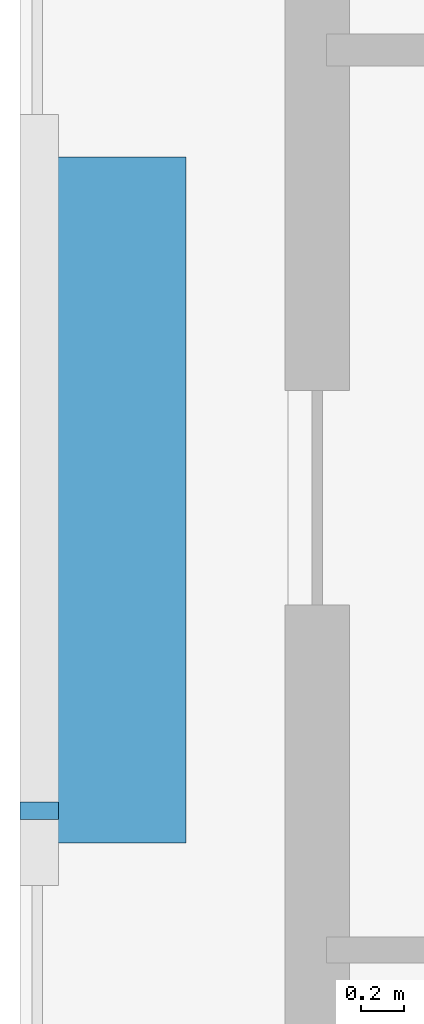
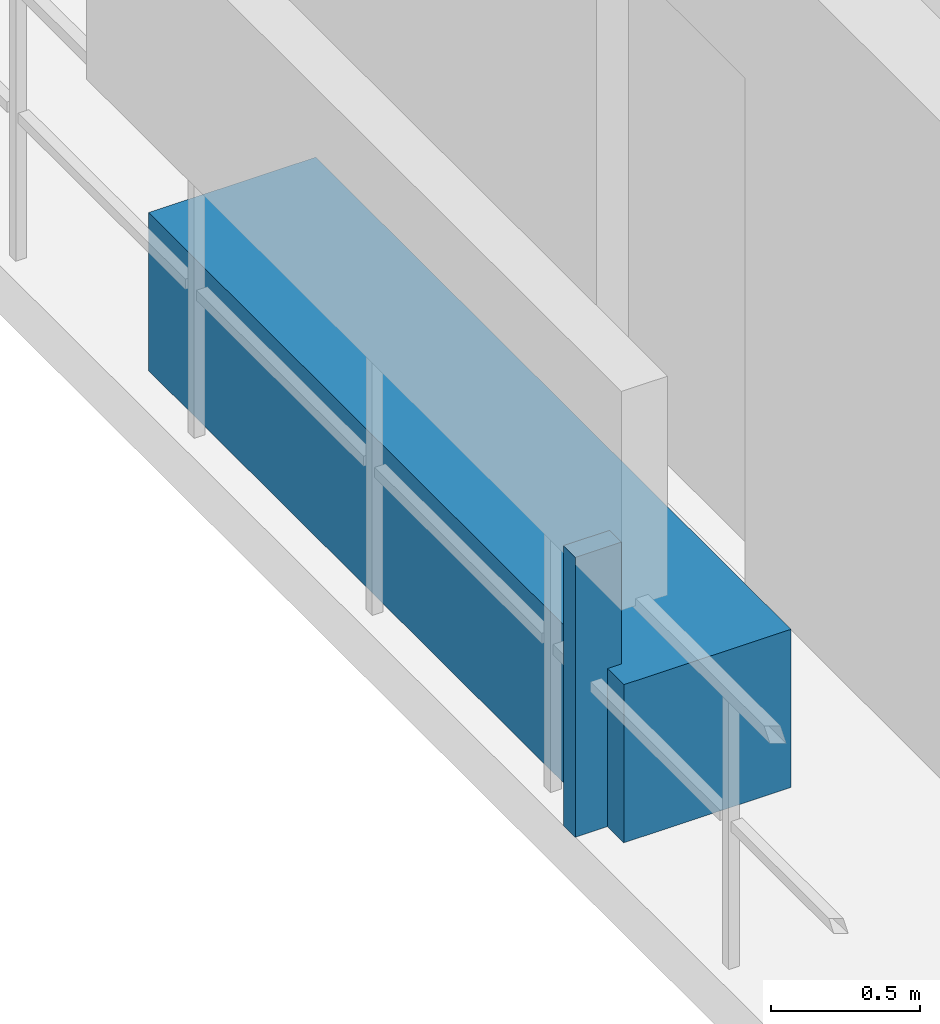
# One storey, part 28 of 33: 2 discrete accessories.
"""IFC4 building model written with IfcOpenShell, lengths in metres."""

import ifcopenshell
import ifcopenshell.guid

model = None  # the IFC model being written
_history = None  # IfcOwnerHistory: only IFC2X3 demands one
_inside = {}  # id of a spatial element -> (the spatial element, [elements in it])
_under = {}  # id of a project, library or spatial element -> (it, [spatial elements below it])
_declared = {}  # id of a project -> (the project, [libraries it declares])
_typed = {}  # id of a type object -> (the type object, [elements of that type])
_made_of = {}  # id of a material, layer set ... -> (it, [elements and type objects made of it])


def new_model(schema):
    """Start an empty IFC model of exactly this schema.

    Asked for "IFC4X3", IfcOpenShell would pick the latest addendum, in which some entities
    have other attributes; the version numbers below select the first issue.
    IFC2X3 requires an IfcOwnerHistory on every rooted entity: one is made here for all.
    """
    global model, _history
    if schema == "IFC4X3":
        model = ifcopenshell.file(schema_version=(4, 3, 0, 0))
    else:
        model = ifcopenshell.file(schema=schema)
    _inside.clear()
    _under.clear()
    _declared.clear()
    _typed.clear()
    _made_of.clear()
    _history = None
    if model.schema == "IFC2X3":
        org = make("IfcOrganization", Name="unknown")
        user = make(
            "IfcPersonAndOrganization",
            ThePerson=make("IfcPerson", FamilyName="unknown"),
            TheOrganization=org,
        )
        app = make(
            "IfcApplication",
            ApplicationDeveloper=org,
            Version="unknown",
            ApplicationFullName="unknown",
            ApplicationIdentifier="unknown",
        )
        _history = make(
            "IfcOwnerHistory",
            OwningUser=user,
            OwningApplication=app,
            ChangeAction="ADDED",
            CreationDate=0,
        )
    return model


def make(cls, **values):
    """One entity of the class cls with the attributes given. An attribute that is None is left unset."""
    return model.create_entity(
        cls, **{name: value for name, value in values.items() if value is not None}
    )


def rooted(cls, **values):
    """An entity with a GlobalId (a new one), such as an element, a storey or a relation."""
    return make(cls, GlobalId=ifcopenshell.guid.new(), OwnerHistory=_history, **values)


def si_unit(unit_type, name, prefix=None):
    """IfcSIUnit, for example si_unit("LENGTHUNIT", "METRE", prefix="MILLI")."""
    return make("IfcSIUnit", UnitType=unit_type, Prefix=prefix, Name=name)


def assignment(units):
    """IfcUnitAssignment: the units of a project."""
    return None if units is None else make("IfcUnitAssignment", Units=units)


def point(xyz):
    """IfcCartesianPoint."""
    return None if xyz is None else make("IfcCartesianPoint", Coordinates=xyz)


def direction(xyz):
    """IfcDirection."""
    return None if xyz is None else make("IfcDirection", DirectionRatios=xyz)


def frame(location, z_axis=None, x_axis=None):
    """IfcAxis2Placement3D, a coordinate frame: its origin and axes. An axis left out is left unset."""
    return make(
        "IfcAxis2Placement3D",
        Location=point(location),
        Axis=direction(z_axis),
        RefDirection=direction(x_axis),
    )


def frame_2d(location, x_axis=None):
    """IfcAxis2Placement2D, a coordinate frame in the plane: its origin and x axis."""
    return make(
        "IfcAxis2Placement2D", Location=point(location), RefDirection=direction(x_axis)
    )


def origin():
    """The frame at (0, 0, 0) with its axes left unset."""
    return frame((0.0, 0.0, 0.0))


def origin_2d():
    """The frame at (0, 0) in the plane with its x axis left unset."""
    return frame_2d((0.0, 0.0))


def place(relative_to, where):
    """IfcLocalPlacement: puts the frame where relative to a parent placement (None: the world)."""
    return make(
        "IfcLocalPlacement", PlacementRelTo=relative_to, RelativePlacement=where
    )


def context(
    kind, dimensions, precision=None, world=None, true_north=None, identifier=None
):
    """IfcGeometricRepresentationContext, for example the 3D "Model" context."""
    return make(
        "IfcGeometricRepresentationContext",
        ContextIdentifier=identifier,
        ContextType=kind,
        CoordinateSpaceDimension=dimensions,
        Precision=precision,
        WorldCoordinateSystem=world,
        TrueNorth=true_north,
    )


def subcontext(parent, identifier, kind, view, scale=None):
    """IfcGeometricRepresentationSubContext, for example "Body" below "Model"."""
    return make(
        "IfcGeometricRepresentationSubContext",
        ContextIdentifier=identifier,
        ContextType=kind,
        ParentContext=parent,
        TargetScale=scale,
        TargetView=view,
    )


def project(units=None, contexts=None):
    """IfcProject with its units and contexts."""
    return rooted(
        "IfcProject",
        Name="project",
        RepresentationContexts=contexts,
        UnitsInContext=assignment(units),
    )


def spatial(cls, under=None, at=None, **own):
    """A site, building, storey or space (cls), placed at a placement, below another one or the project."""
    s = rooted(cls, ObjectPlacement=at, **own)
    if under is not None:
        _under.setdefault(under.id(), (under, []))[1].append(s)
    return s


def profile(cls, at=None, kind="AREA", **sizes):
    """A parametric profile (cls). Its sizes go by their IFC names, for example OverallWidth=200.0."""
    return make(cls, ProfileType=kind, Position=at, **sizes)


def rectangle(**sizes):
    """IfcRectangleProfileDef."""
    return profile("IfcRectangleProfileDef", **sizes)


def extrude(swept, where, along, depth):
    """IfcExtrudedAreaSolid: the profile swept, set in the frame where, extruded along a direction by depth."""
    return make(
        "IfcExtrudedAreaSolid",
        SweptArea=swept,
        Position=where,
        ExtrudedDirection=direction(along),
        Depth=depth,
    )


def shape(context_of_items, identifier, shape_type, items):
    """IfcShapeRepresentation: the items that make up one representation, for example the "Body"."""
    return make(
        "IfcShapeRepresentation",
        ContextOfItems=context_of_items,
        RepresentationIdentifier=identifier,
        RepresentationType=shape_type,
        Items=items,
    )


def material(Name=None, Category=None):
    """IfcMaterial."""
    return make("IfcMaterial", Name=Name, Category=Category)


def made_of(thing, what):
    """Note that an element or type object is made of a material, layer set ...; save() writes the relation."""
    if what is not None:
        _made_of.setdefault(what.id(), (what, []))[1].append(thing)
    return thing


def type_object(cls, material=None, **own):
    """A type object (cls), such as IfcWallType, which elements share."""
    return made_of(rooted(cls, **own), material)


def element(
    cls,
    number,
    at=None,
    inside=None,
    cuts=None,
    type_object=None,
    material=None,
    context=None,
    identifier="Body",
    shape_type=None,
    held_by="IfcProductDefinitionShape",
    body=None,
    shapes=None,
    **own,
):
    """One element of the class cls, such as IfcWall. Its Tag is "e" and its number.

    at: its placement. inside: the storey or other place that contains it. cuts: it is an
    opening in that element (IfcRelVoidsElement). A single representation is given by context,
    identifier, shape_type and body (its items); several are given by shapes. held_by: the class
    of the entity that holds the representations. save() writes the other relations.
    """
    e = rooted(cls, Tag="e%d" % number, ObjectPlacement=at, **own)
    if body is not None:
        shapes = [shape(context, identifier, shape_type, body)]
    if shapes is not None:
        e.Representation = make(held_by, Representations=shapes)
    if inside is not None:
        _inside.setdefault(inside.id(), (inside, []))[1].append(e)
    if cuts is not None:
        rooted(
            "IfcRelVoidsElement", RelatingBuildingElement=cuts, RelatedOpeningElement=e
        )
    if type_object is not None:
        _typed.setdefault(type_object.id(), (type_object, []))[1].append(e)
    return made_of(e, material)


def aggregate(whole, parts):
    """IfcRelAggregates: a whole, such as a stair, and the parts it consists of."""
    return rooted("IfcRelAggregates", RelatingObject=whole, RelatedObjects=parts)


def save(model, path):
    """Write the relations noted so far, then the file.

    IfcRelAggregates (storeys below a building ...), IfcRelContainedInSpatialStructure (elements
    in a storey), IfcRelDefinesByType, IfcRelAssociatesMaterial and IfcRelDeclares: one each for
    every whole, place, type object, material and project.
    """
    for whole, parts in _under.values():
        aggregate(whole, parts)
    for where, things in _inside.values():
        rooted(
            "IfcRelContainedInSpatialStructure",
            RelatedElements=things,
            RelatingStructure=where,
        )
    for kind, things in _typed.values():
        rooted("IfcRelDefinesByType", RelatedObjects=things, RelatingType=kind)
    for what, things in _made_of.values():
        rooted("IfcRelAssociatesMaterial", RelatedObjects=things, RelatingMaterial=what)
    for by, libraries in _declared.values():
        rooted("IfcRelDeclares", RelatingContext=by, RelatedDefinitions=libraries)
    model.write(path)


model = new_model("IFC4")

# Units and contexts
model_context = context("Model", 3, precision=1e-05, world=origin(), true_north=direction((0.0, 1.0)))
body_context = subcontext(model_context, "Body", "Model", "MODEL_VIEW")
ifc_project = project(units=[si_unit("LENGTHUNIT", "METRE"), si_unit("AREAUNIT", "SQUARE_METRE"), si_unit("VOLUMEUNIT", "CUBIC_METRE"), si_unit("PLANEANGLEUNIT", "RADIAN"), si_unit("MASSUNIT", "GRAM", prefix="KILO")], contexts=[model_context])

# Site, building, storey
site_placement = place(None, origin())
site = spatial("IfcSite", under=ifc_project, at=site_placement, CompositionType="ELEMENT")
building_placement = place(site_placement, origin())
building = spatial("IfcBuilding", under=site, at=building_placement, Name="Thornwick Lancets Civic Towers", CompositionType="ELEMENT")
storey_placement = place(building_placement, frame((0.0, 0.0, 203.699951171875)))
storey = spatial("IfcBuildingStorey", under=building, at=storey_placement, Name="L54", CompositionType="ELEMENT", Elevation=203.699951171875)

# Discrete accessories
ifc_material_1 = material(Name="Planted terracotta greenery planter", Category="masonry")
discrete_accessory_type_1 = type_object("IfcDiscreteAccessoryType", Name="ACC_PLANTER_BOX", PredefinedType="USERDEFINED", material=ifc_material_1)
discrete_accessory_1_placement = place(storey_placement, frame((0.800048828125, 27.0, 0.0), z_axis=(0.0, 0.0, 1.0), x_axis=(1.0, 0.0, 0.0)))
element("IfcDiscreteAccessory", 1, at=discrete_accessory_1_placement, inside=storey, type_object=discrete_accessory_type_1, Name="L54 Tower A Balcony Greenery Planter W", ObjectType="PLANTER", PredefinedType="USERDEFINED", context=body_context, shape_type="SweptSolid", body=[
    extrude(rectangle(XDim=0.64990234375, YDim=3.199951171875, at=origin_2d()), origin(), (0.0, 0.0, 1.0), 0.64990234375),
])
ifc_material_2 = material(Name="Stainless steel S355", Category="steel")
discrete_accessory_type_2 = type_object("IfcDiscreteAccessoryType", Name="ACC_SCREEN_BRACKET", PredefinedType="BRACKET", material=ifc_material_2)
discrete_accessory_2_placement = place(storey_placement, frame((0.43994140625, 25.550048828125, 0.0), z_axis=(0.0, 0.0, 1.0), x_axis=(0.0, 1.0, 0.0)))
element("IfcDiscreteAccessory", 2, at=discrete_accessory_2_placement, inside=storey, type_object=discrete_accessory_type_2, Name="L54 Tower A Balcony Screen Stanchion Bracket W-1", PredefinedType="BRACKET", context=body_context, shape_type="SweptSolid", body=[
    extrude(rectangle(XDim=0.080078125, YDim=0.179931640625, at=origin_2d()), origin(), (0.0, 0.0, 1.0), 1.14990234375),
])

save(model, "model.ifc")
